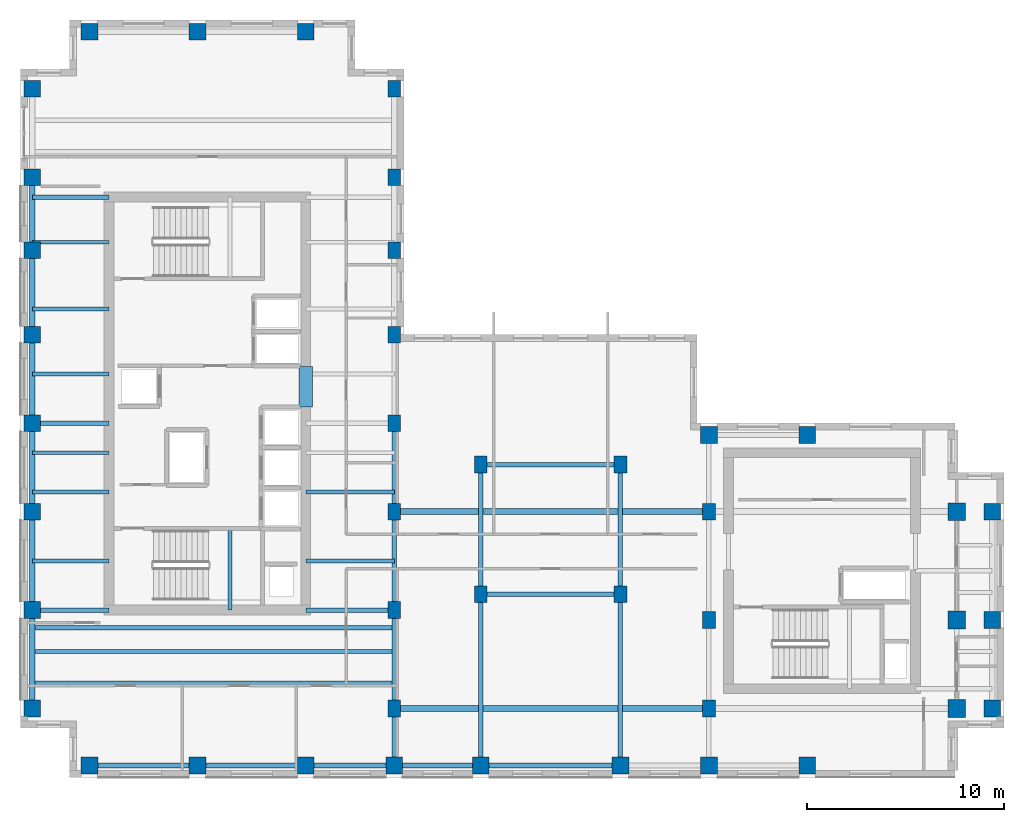
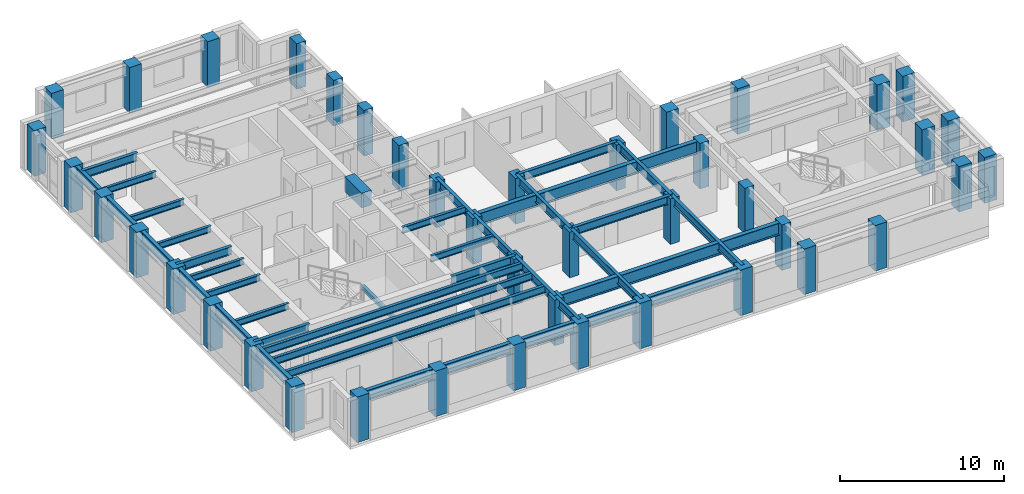
# One storey, part 1 of 12: 42 columns, 40 beams.
"""IFC4 building model written with IfcOpenShell, lengths in metres."""

from ifc_helpers import new_model, si_unit, direction, frame, origin, origin_2d, place, context, subcontext, project, spatial, rectangle, i_section, extrude, source, transform, mapped, material, material_profile, profile_set, type_object, element, save


model = new_model("IFC4")

# Units and contexts
model_context = context("Model", 3, precision=1e-05, world=origin(), true_north=direction((0.0, 1.0)))
body_context = subcontext(model_context, "Body", "Model", "MODEL_VIEW")
ifc_project = project(units=[si_unit("LENGTHUNIT", "METRE"), si_unit("AREAUNIT", "SQUARE_METRE"), si_unit("VOLUMEUNIT", "CUBIC_METRE"), si_unit("PLANEANGLEUNIT", "RADIAN"), si_unit("MASSUNIT", "GRAM", prefix="KILO")], contexts=[model_context])

# Site, building, storey
site_placement = place(None, origin())
site = spatial("IfcSite", under=ifc_project, at=site_placement, CompositionType="ELEMENT")
building_placement = place(site_placement, origin())
building = spatial("IfcBuilding", under=site, at=building_placement, Name="Kharzan Plaza Tower", CompositionType="ELEMENT")
storey_placement = place(building_placement, frame((0.0, 0.0, 255.60009765625)))
storey = spatial("IfcBuildingStorey", under=building, at=storey_placement, Name="L69", CompositionType="ELEMENT", Elevation=255.60009765625)

# Columns
ifc_material_1 = material(Name="Concrete C50/60", Category="concrete")
ifc_material_profile_1 = material_profile(ifc_material_1, rectangle(XDim=0.89990234375, YDim=0.89990234375, at=origin_2d()), Name="RC-IC900x900")
ifc_profile_set_1 = profile_set([ifc_material_profile_1], Name="Concrete C50/60")
column_type_1 = type_object("IfcColumnType", Name="COL-IC900", PredefinedType="COLUMN", material=ifc_profile_set_1)
shared_shape_1 = source(origin(), body_context, "Body", "SweptSolid", [
    extrude(rectangle(XDim=0.89990234375, YDim=0.89990234375, at=origin_2d()), origin(), (0.0, 0.0, 1.0), 3.39990234375),
])
for number, where, z_axis, x_axis, name in (
    (1, (47.60009765625, 13.5, 0.0), (0.0, 0.0, 1.0), (1.0, 0.0, 0.0), "L69 Structural Column TCBI-135"),
    (2, (47.60009765625, 3.5, 0.0), (0.0, 0.0, 1.0), (1.0, 0.0, 0.0), "L69 Structural Column TCBI-35"),
    (3, (47.60009765625, 8.0, 0.0), (0.0, 0.0, 1.0), (1.0, 0.0, 0.0), "L69 Structural Column TCBI-80"),
):
    element("IfcColumn", number, at=place(storey_placement, frame(where, z_axis=z_axis, x_axis=x_axis)), inside=storey, type_object=column_type_1, Name=name, PredefinedType="COLUMN", context=body_context, shape_type="MappedRepresentation", body=[
        mapped(shared_shape_1, transform((0.0, 0.0, 0.0), x_axis=(1.0, 0.0, 0.0), y_axis=(0.0, 1.0, 0.0), z_axis=(0.0, 0.0, 1.0))),
    ])
ifc_material_profile_2 = material_profile(ifc_material_1, rectangle(XDim=0.64990234375, YDim=0.85009765625, at=origin_2d()), Name="RC-SC850x650")
ifc_profile_set_2 = profile_set([ifc_material_profile_2], Name="Concrete C50/60")
column_type_2 = type_object("IfcColumnType", Name="COL-SC850", PredefinedType="COLUMN", material=ifc_profile_set_2)
shared_shape_2 = source(origin(), body_context, "Body", "SweptSolid", [
    extrude(rectangle(XDim=0.64990234375, YDim=0.85009765625, at=origin_2d()), origin(), (0.0, 0.0, 1.0), 3.39990234375),
])
for number, where, z_axis, x_axis, name in (
    (4, (19.0, 13.5, 0.0), (0.0, 0.0, 1.0), (1.0, 0.0, 0.0), "L69 Structural Column TCA-135"),
    (5, (19.0, 18.0, 0.0), (0.0, 0.0, 1.0), (1.0, 0.0, 0.0), "L69 Structural Column TCA-180"),
    (6, (19.0, 22.5, 0.0), (0.0, 0.0, 1.0), (1.0, 0.0, 0.0), "L69 Structural Column TCA-225"),
    (7, (19.0, 26.800048828125, 0.0), (0.0, 0.0, 1.0), (1.0, 0.0, 0.0), "L69 Structural Column TCA-268"),
    (8, (19.0, 30.5, 0.0), (0.0, 0.0, 1.0), (1.0, 0.0, 0.0), "L69 Structural Column TCA-305"),
    (9, (19.0, 3.5, 0.0), (0.0, 0.0, 1.0), (1.0, 0.0, 0.0), "L69 Structural Column TCA-35"),
    (10, (19.0, 35.0, 0.0), (0.0, 0.0, 1.0), (1.0, 0.0, 0.0), "L69 Structural Column TCA-350"),
    (11, (19.0, 8.5, 0.0), (0.0, 0.0, 1.0), (1.0, 0.0, 0.0), "L69 Structural Column TCA-85"),
    (12, (35.0, 13.5, 0.0), (0.0, 0.0, 1.0), (1.0, 0.0, 0.0), "L69 Structural Column TCBS-135"),
    (13, (35.0, 3.5, 0.0), (0.0, 0.0, 1.0), (1.0, 0.0, 0.0), "L69 Structural Column TCBS-35"),
    (14, (35.0, 8.0, 0.0), (0.0, 0.0, 1.0), (1.0, 0.0, 0.0), "L69 Structural Column TCBS-80"),
    (15, (23.39990234375, 15.89990234375, 0.0), (0.0, 0.0, 1.0), (1.0, 0.0, 0.0), "L69 Structural Column TCSP-234-159"),
    (16, (23.39990234375, 9.300048828125, 0.0), (0.0, 0.0, 1.0), (1.0, 0.0, 0.0), "L69 Structural Column TCSP-234-93"),
    (17, (30.5, 15.89990234375, 0.0), (0.0, 0.0, 1.0), (1.0, 0.0, 0.0), "L69 Structural Column TCSP-305-159"),
    (18, (30.5, 9.300048828125, 0.0), (0.0, 0.0, 1.0), (1.0, 0.0, 0.0), "L69 Structural Column TCSP-305-93"),
):
    element("IfcColumn", number, at=place(storey_placement, frame(where, z_axis=z_axis, x_axis=x_axis)), inside=storey, type_object=column_type_2, Name=name, PredefinedType="COLUMN", context=body_context, shape_type="MappedRepresentation", body=[
        mapped(shared_shape_2, transform((0.0, 0.0, 0.0), x_axis=(1.0, 0.0, 0.0), y_axis=(0.0, 1.0, 0.0), z_axis=(0.0, 0.0, 1.0))),
    ])
ifc_material_profile_3 = material_profile(ifc_material_1, rectangle(XDim=0.85009765625, YDim=0.85009765625, at=origin_2d()), Name="RC-TC850x850")
ifc_profile_set_3 = profile_set([ifc_material_profile_3], Name="Concrete C50/60")
column_type_3 = type_object("IfcColumnType", Name="COL-TC850", PredefinedType="COLUMN", material=ifc_profile_set_3)
shared_shape_3 = source(origin(), body_context, "Body", "SweptSolid", [
    extrude(rectangle(XDim=0.85009765625, YDim=0.85009765625, at=origin_2d()), origin(), (0.0, 0.0, 1.0), 3.39990234375),
])
for number, where, z_axis, x_axis, name in (
    (19, (35.0, 17.39990234375, 0.0), (0.0, 0.0, 1.0), (1.0, 0.0, 0.0), "L69 Structural Column TCBN-350-174"),
    (20, (40.0, 17.39990234375, 0.0), (0.0, 0.0, 1.0), (1.0, 0.0, 0.0), "L69 Structural Column TCBN-400-174"),
    (21, (49.39990234375, 13.5, 0.0), (0.0, 0.0, 1.0), (1.0, 0.0, 0.0), "L69 Structural Column TCE-494-135"),
    (22, (49.39990234375, 3.5, 0.0), (0.0, 0.0, 1.0), (1.0, 0.0, 0.0), "L69 Structural Column TCE-494-35"),
    (23, (49.39990234375, 8.0, 0.0), (0.0, 0.0, 1.0), (1.0, 0.0, 0.0), "L69 Structural Column TCE-494-80"),
    (24, (14.5, 37.89990234375, 0.0), (0.0, 0.0, 1.0), (1.0, 0.0, 0.0), "L69 Structural Column TCN-145-379"),
    (25, (3.5, 37.89990234375, 0.0), (0.0, 0.0, 1.0), (1.0, 0.0, 0.0), "L69 Structural Column TCN-35-379"),
    (26, (9.0, 37.89990234375, 0.0), (0.0, 0.0, 1.0), (1.0, 0.0, 0.0), "L69 Structural Column TCN-90-379"),
    (27, (14.5, 0.60009765625, 0.0), (0.0, 0.0, 1.0), (1.0, 0.0, 0.0), "L69 Structural Column TCS-145"),
    (28, (19.0, 0.60009765625, 0.0), (0.0, 0.0, 1.0), (1.0, 0.0, 0.0), "L69 Structural Column TCS-190"),
    (29, (23.39990234375, 0.60009765625, 0.0), (0.0, 0.0, 1.0), (1.0, 0.0, 0.0), "L69 Structural Column TCS-234"),
    (30, (30.5, 0.60009765625, 0.0), (0.0, 0.0, 1.0), (1.0, 0.0, 0.0), "L69 Structural Column TCS-305"),
    (31, (3.5, 0.60009765625, 0.0), (0.0, 0.0, 1.0), (1.0, 0.0, 0.0), "L69 Structural Column TCS-35"),
    (32, (35.0, 0.60009765625, 0.0), (0.0, 0.0, 1.0), (1.0, 0.0, 0.0), "L69 Structural Column TCS-350"),
    (33, (40.0, 0.60009765625, 0.0), (0.0, 0.0, 1.0), (1.0, 0.0, 0.0), "L69 Structural Column TCS-400"),
    (34, (9.0, 0.60009765625, 0.0), (0.0, 0.0, 1.0), (1.0, 0.0, 0.0), "L69 Structural Column TCS-90"),
    (35, (0.60009765625, 13.5, 0.0), (0.0, 0.0, 1.0), (1.0, 0.0, 0.0), "L69 Structural Column TCW-135"),
    (36, (0.60009765625, 18.0, 0.0), (0.0, 0.0, 1.0), (1.0, 0.0, 0.0), "L69 Structural Column TCW-180"),
    (37, (0.60009765625, 22.5, 0.0), (0.0, 0.0, 1.0), (1.0, 0.0, 0.0), "L69 Structural Column TCW-225"),
    (38, (0.60009765625, 26.800048828125, 0.0), (0.0, 0.0, 1.0), (1.0, 0.0, 0.0), "L69 Structural Column TCW-268"),
    (39, (0.60009765625, 30.5, 0.0), (0.0, 0.0, 1.0), (1.0, 0.0, 0.0), "L69 Structural Column TCW-305"),
    (40, (0.60009765625, 3.5, 0.0), (0.0, 0.0, 1.0), (1.0, 0.0, 0.0), "L69 Structural Column TCW-35"),
    (41, (0.60009765625, 35.0, 0.0), (0.0, 0.0, 1.0), (1.0, 0.0, 0.0), "L69 Structural Column TCW-350"),
    (42, (0.60009765625, 8.5, 0.0), (0.0, 0.0, 1.0), (1.0, 0.0, 0.0), "L69 Structural Column TCW-85"),
):
    element("IfcColumn", number, at=place(storey_placement, frame(where, z_axis=z_axis, x_axis=x_axis)), inside=storey, type_object=column_type_3, Name=name, PredefinedType="COLUMN", context=body_context, shape_type="MappedRepresentation", body=[
        mapped(shared_shape_3, transform((0.0, 0.0, 0.0), x_axis=(1.0, 0.0, 0.0), y_axis=(0.0, 1.0, 0.0), z_axis=(0.0, 0.0, 1.0))),
    ])

# Beams
ifc_material_2 = material(Name="Concrete C60/75", Category="concrete")
ifc_material_profile_4 = material_profile(ifc_material_2, rectangle(XDim=0.699951171875, YDim=1.10009765625, at=origin_2d()), Name="RC-CB1100x700")
ifc_profile_set_4 = profile_set([ifc_material_profile_4], Name="Concrete C60/75")
beam_type_1 = type_object("IfcBeamType", Name="BM-RCCB1100", PredefinedType="LINTEL", material=ifc_profile_set_4)
shared_shape_4 = source(origin(), body_context, "Body", "SweptSolid", [
    extrude(rectangle(XDim=0.699951171875, YDim=1.10009765625, at=origin_2d()), origin(), (0.0, 0.0, 1.0), 2.059814453125),
])
beam_1_placement = place(storey_placement, frame((14.5, 18.820068359375, 2.849853515625), z_axis=(0.0, 1.0, 0.0), x_axis=(-1.0, 0.0, 0.0)))
element("IfcBeam", 43, at=beam_1_placement, inside=storey, type_object=beam_type_1, Name="L69 CORE-A RC coupling beam CB1", PredefinedType="LINTEL", context=body_context, shape_type="MappedRepresentation", body=[
    mapped(shared_shape_4, transform((0.0, 0.0, 0.0), x_axis=(1.0, 0.0, 0.0), y_axis=(0.0, 1.0, 0.0), z_axis=(0.0, 0.0, 1.0))),
])
ifc_material_3 = material(Name="Steel S355", Category="steel")
ifc_material_profile_5 = material_profile(ifc_material_3, i_section(OverallWidth=0.205078125, OverallDepth=0.35400390625, WebThickness=0.009521484375, FlangeThickness=0.016845703125, at=origin_2d()), Name="W360x79")
ifc_profile_set_5 = profile_set([ifc_material_profile_5], Name="Steel S355")
beam_type_2 = type_object("IfcBeamType", Name="BM-LNT360", PredefinedType="LINTEL", material=ifc_profile_set_5)
shared_shape_5 = source(origin(), body_context, "Body", "SweptSolid", [
    extrude(i_section(OverallWidth=0.205078125, OverallDepth=0.35400390625, WebThickness=0.009521484375, FlangeThickness=0.016845703125, at=origin_2d()), origin(), (0.0, 0.0, 1.0), 4.155029296875),
])
beam_2_placement = place(storey_placement, frame((10.64990234375, 8.5, 1.4228515625), z_axis=(0.0, 1.0, 0.0), x_axis=(-1.0, 0.0, 0.0)))
element("IfcBeam", 44, at=beam_2_placement, inside=storey, type_object=beam_type_2, Name="L69 Stair ST-1 Half-Landing Beam", PredefinedType="LINTEL", context=body_context, shape_type="MappedRepresentation", body=[
    mapped(shared_shape_5, transform((0.0, 0.0, 0.0), x_axis=(1.0, 0.0, 0.0), y_axis=(0.0, 1.0, 0.0), z_axis=(0.0, 0.0, 1.0))),
])
ifc_material_profile_6 = material_profile(ifc_material_3, i_section(OverallWidth=0.304931640625, OverallDepth=0.9189453125, WebThickness=0.017333984375, FlangeThickness=0.02783203125, at=origin_2d()), Name="W920x253")
ifc_profile_set_6 = profile_set([ifc_material_profile_6], Name="Steel S355")
beam_type_3 = type_object("IfcBeamType", Name="BM-FG920B", PredefinedType="BEAM", material=ifc_profile_set_6)
shared_shape_6 = source(origin(), body_context, "Body", "SweptSolid", [
    extrude(i_section(OverallWidth=0.304931640625, OverallDepth=0.9189453125, WebThickness=0.017333984375, FlangeThickness=0.02783203125, at=origin_2d()), origin(), (0.0, 0.0, 1.0), 16.0),
])
for number, where, z_axis, x_axis, name in (
    (45, (19.0, 3.5, 2.9404296875), (1.0, 0.0, 0.0), (0.0, 1.0, 0.0), "L69 Primary Floor Girder"),
    (46, (19.0, 13.5, 2.9404296875), (1.0, 0.0, 0.0), (0.0, 1.0, 0.0), "L69 Primary Floor Girder"),
):
    element("IfcBeam", number, at=place(storey_placement, frame(where, z_axis=z_axis, x_axis=x_axis)), inside=storey, type_object=beam_type_3, Name=name, PredefinedType="BEAM", context=body_context, shape_type="MappedRepresentation", body=[
        mapped(shared_shape_6, transform((0.0, 0.0, 0.0), x_axis=(1.0, 0.0, 0.0), y_axis=(0.0, 1.0, 0.0), z_axis=(0.0, 0.0, 1.0))),
    ])
ifc_material_profile_7 = material_profile(ifc_material_3, i_section(OverallWidth=0.2099609375, OverallDepth=0.537109375, WebThickness=0.010986328125, FlangeThickness=0.017333984375, at=origin_2d()), Name="W530x101")
ifc_profile_set_7 = profile_set([ifc_material_profile_7], Name="Steel S355")
beam_type_4 = type_object("IfcBeamType", Name="BM-JST530B", PredefinedType="JOIST", material=ifc_profile_set_7)
shared_shape_7 = source(origin(), body_context, "Body", "SweptSolid", [
    extrude(i_section(OverallWidth=0.2099609375, OverallDepth=0.537109375, WebThickness=0.010986328125, FlangeThickness=0.017333984375, at=origin_2d()), origin(), (0.0, 0.0, 1.0), 18.39990234375),
])
for number, where, z_axis, x_axis, name in (
    (47, (0.60009765625, 4.800048828125, 3.13134765625), (1.0, 0.0, 0.0), (0.0, 1.0, 0.0), "L69 Wing A Composite Joist 01"),
    (48, (0.60009765625, 6.39990234375, 3.13134765625), (1.0, 0.0, 0.0), (0.0, 1.0, 0.0), "L69 Wing A Composite Joist 02"),
    (49, (0.60009765625, 7.60009765625, 3.13134765625), (1.0, 0.0, 0.0), (0.0, 1.0, 0.0), "L69 Wing A Composite Joist 03"),
):
    element("IfcBeam", number, at=place(storey_placement, frame(where, z_axis=z_axis, x_axis=x_axis)), inside=storey, type_object=beam_type_4, Name=name, PredefinedType="JOIST", context=body_context, shape_type="MappedRepresentation", body=[
        mapped(shared_shape_7, transform((0.0, 0.0, 0.0), x_axis=(1.0, 0.0, 0.0), y_axis=(0.0, 1.0, 0.0), z_axis=(0.0, 0.0, 1.0))),
    ])
ifc_material_profile_8 = material_profile(ifc_material_3, i_section(OverallWidth=0.194091796875, OverallDepth=0.468994140625, WebThickness=0.011474609375, FlangeThickness=0.0205078125, at=origin_2d()), Name="W460x106")
ifc_profile_set_8 = profile_set([ifc_material_profile_8], Name="Steel S355")
beam_type_5 = type_object("IfcBeamType", Name="BM-JST460", PredefinedType="JOIST", material=ifc_profile_set_8)
shared_shape_8 = source(origin(), body_context, "Body", "SweptSolid", [
    extrude(i_section(OverallWidth=0.194091796875, OverallDepth=0.468994140625, WebThickness=0.011474609375, FlangeThickness=0.0205078125, at=origin_2d()), origin(), (0.0, 0.0, 1.0), 4.5),
])
for number, where, z_axis, x_axis, name in (
    (50, (14.5, 11.0, 3.165283203125), (1.0, 0.0, 0.0), (0.0, 1.0, 0.0), "L69 Wing A East Infill Joist 1"),
    (51, (14.5, 14.5, 3.165283203125), (1.0, 0.0, 0.0), (0.0, 1.0, 0.0), "L69 Wing A East Infill Joist 2"),
):
    element("IfcBeam", number, at=place(storey_placement, frame(where, z_axis=z_axis, x_axis=x_axis)), inside=storey, type_object=beam_type_5, Name=name, PredefinedType="JOIST", context=body_context, shape_type="MappedRepresentation", body=[
        mapped(shared_shape_8, transform((0.0, 0.0, 0.0), x_axis=(1.0, 0.0, 0.0), y_axis=(0.0, 1.0, 0.0), z_axis=(0.0, 0.0, 1.0))),
    ])
shared_shape_9 = source(origin(), body_context, "Body", "SweptSolid", [
    extrude(i_section(OverallWidth=0.194091796875, OverallDepth=0.468994140625, WebThickness=0.011474609375, FlangeThickness=0.0205078125, at=origin_2d()), origin(), (0.0, 0.0, 1.0), 3.89990234375),
])
for number, where, z_axis, x_axis, name in (
    (52, (0.60009765625, 11.0, 3.165283203125), (1.0, 0.0, 0.0), (0.0, 1.0, 0.0), "L69 Wing A West Infill Joist 1"),
    (53, (0.60009765625, 14.5, 3.165283203125), (1.0, 0.0, 0.0), (0.0, 1.0, 0.0), "L69 Wing A West Infill Joist 2"),
    (54, (0.60009765625, 16.5, 3.165283203125), (1.0, 0.0, 0.0), (0.0, 1.0, 0.0), "L69 Wing A West Infill Joist 3"),
    (55, (0.60009765625, 20.5, 3.165283203125), (1.0, 0.0, 0.0), (0.0, 1.0, 0.0), "L69 Wing A West Infill Joist 4"),
    (56, (0.60009765625, 23.800048828125, 3.165283203125), (1.0, 0.0, 0.0), (0.0, 1.0, 0.0), "L69 Wing A West Infill Joist 5"),
    (57, (0.60009765625, 27.199951171875, 3.165283203125), (1.0, 0.0, 0.0), (0.0, 1.0, 0.0), "L69 Wing A West Infill Joist 6"),
):
    element("IfcBeam", number, at=place(storey_placement, frame(where, z_axis=z_axis, x_axis=x_axis)), inside=storey, type_object=beam_type_5, Name=name, PredefinedType="JOIST", context=body_context, shape_type="MappedRepresentation", body=[
        mapped(shared_shape_9, transform((0.0, 0.0, 0.0), x_axis=(1.0, 0.0, 0.0), y_axis=(0.0, 1.0, 0.0), z_axis=(0.0, 0.0, 1.0))),
    ])
ifc_material_profile_9 = material_profile(ifc_material_3, i_section(OverallWidth=0.22900390625, OverallDepth=0.612060546875, WebThickness=0.011962890625, FlangeThickness=0.01953125, at=origin_2d()), Name="W610x125")
ifc_profile_set_9 = profile_set([ifc_material_profile_9], Name="Steel S355")
beam_type_6 = type_object("IfcBeamType", Name="BM-FG610B", PredefinedType="BEAM", material=ifc_profile_set_9)
shared_shape_10 = source(origin(), body_context, "Body", "SweptSolid", [
    extrude(i_section(OverallWidth=0.22900390625, OverallDepth=0.612060546875, WebThickness=0.011962890625, FlangeThickness=0.01953125, at=origin_2d()), origin(), (0.0, 0.0, 1.0), 4.5),
])
for number, where, z_axis, x_axis, name in (
    (58, (14.5, 8.5, 3.093994140625), (1.0, 0.0, 0.0), (0.0, 1.0, 0.0), "L69 Core-A East Floor Girder 1"),
    (59, (19.0, 13.5, 3.093994140625), (0.0, 1.0, 0.0), (-1.0, 0.0, 0.0), "L69 Interior Frame Girder"),
):
    element("IfcBeam", number, at=place(storey_placement, frame(where, z_axis=z_axis, x_axis=x_axis)), inside=storey, type_object=beam_type_6, Name=name, PredefinedType="BEAM", context=body_context, shape_type="MappedRepresentation", body=[
        mapped(shared_shape_10, transform((0.0, 0.0, 0.0), x_axis=(1.0, 0.0, 0.0), y_axis=(0.0, 1.0, 0.0), z_axis=(0.0, 0.0, 1.0))),
    ])
shared_shape_11 = source(origin(), body_context, "Body", "SweptSolid", [
    extrude(i_section(OverallWidth=0.22900390625, OverallDepth=0.612060546875, WebThickness=0.011962890625, FlangeThickness=0.01953125, at=origin_2d()), origin(), (0.0, 0.0, 1.0), 3.89990234375),
])
for number, where, z_axis, x_axis, name in (
    (60, (0.60009765625, 8.5, 3.093994140625), (1.0, 0.0, 0.0), (0.0, 1.0, 0.0), "L69 Core-A West Floor Girder 1"),
    (61, (0.60009765625, 18.0, 3.093994140625), (1.0, 0.0, 0.0), (0.0, 1.0, 0.0), "L69 Core-A West Floor Girder 2"),
    (62, (0.60009765625, 29.5, 3.093994140625), (1.0, 0.0, 0.0), (0.0, 1.0, 0.0), "L69 Core-A West Floor Girder 3"),
):
    element("IfcBeam", number, at=place(storey_placement, frame(where, z_axis=z_axis, x_axis=x_axis)), inside=storey, type_object=beam_type_6, Name=name, PredefinedType="BEAM", context=body_context, shape_type="MappedRepresentation", body=[
        mapped(shared_shape_11, transform((0.0, 0.0, 0.0), x_axis=(1.0, 0.0, 0.0), y_axis=(0.0, 1.0, 0.0), z_axis=(0.0, 0.0, 1.0))),
    ])
shared_shape_12 = source(origin(), body_context, "Body", "SweptSolid", [
    extrude(i_section(OverallWidth=0.22900390625, OverallDepth=0.612060546875, WebThickness=0.011962890625, FlangeThickness=0.01953125, at=origin_2d()), origin(), (0.0, 0.0, 1.0), 5.0),
])
for number, where, z_axis, x_axis, name in (
    (63, (19.0, 3.5, 3.093994140625), (0.0, 1.0, 0.0), (-1.0, 0.0, 0.0), "L69 Interior Frame Girder"),
    (64, (19.0, 8.5, 3.093994140625), (0.0, 1.0, 0.0), (-1.0, 0.0, 0.0), "L69 Interior Frame Girder"),
):
    element("IfcBeam", number, at=place(storey_placement, frame(where, z_axis=z_axis, x_axis=x_axis)), inside=storey, type_object=beam_type_6, Name=name, PredefinedType="BEAM", context=body_context, shape_type="MappedRepresentation", body=[
        mapped(shared_shape_12, transform((0.0, 0.0, 0.0), x_axis=(1.0, 0.0, 0.0), y_axis=(0.0, 1.0, 0.0), z_axis=(0.0, 0.0, 1.0))),
    ])
shared_shape_13 = source(origin(), body_context, "Body", "SweptSolid", [
    extrude(i_section(OverallWidth=0.22900390625, OverallDepth=0.612060546875, WebThickness=0.011962890625, FlangeThickness=0.01953125, at=origin_2d()), origin(), (0.0, 0.0, 1.0), 6.599853515625),
])
for number, where, z_axis, x_axis, name in (
    (65, (23.39990234375, 9.300048828125, 3.093994140625), (0.0, 1.0, 0.0), (-1.0, 0.0, 0.0), "L69 Interior Frame Girder"),
    (66, (30.5, 9.300048828125, 3.093994140625), (0.0, 1.0, 0.0), (-1.0, 0.0, 0.0), "L69 Interior Frame Girder"),
):
    element("IfcBeam", number, at=place(storey_placement, frame(where, z_axis=z_axis, x_axis=x_axis)), inside=storey, type_object=beam_type_6, Name=name, PredefinedType="BEAM", context=body_context, shape_type="MappedRepresentation", body=[
        mapped(shared_shape_13, transform((0.0, 0.0, 0.0), x_axis=(1.0, 0.0, 0.0), y_axis=(0.0, 1.0, 0.0), z_axis=(0.0, 0.0, 1.0))),
    ])
shared_shape_14 = source(origin(), body_context, "Body", "SweptSolid", [
    extrude(i_section(OverallWidth=0.22900390625, OverallDepth=0.612060546875, WebThickness=0.011962890625, FlangeThickness=0.01953125, at=origin_2d()), origin(), (0.0, 0.0, 1.0), 2.89990234375),
])
beam_3_placement = place(storey_placement, frame((19.0, 0.60009765625, 3.093994140625), z_axis=(0.0, 1.0, 0.0), x_axis=(-1.0, 0.0, 0.0)))
element("IfcBeam", 67, at=beam_3_placement, inside=storey, type_object=beam_type_6, Name="L69 Interior Frame Girder", PredefinedType="BEAM", context=body_context, shape_type="MappedRepresentation", body=[
    mapped(shared_shape_14, transform((0.0, 0.0, 0.0), x_axis=(1.0, 0.0, 0.0), y_axis=(0.0, 1.0, 0.0), z_axis=(0.0, 0.0, 1.0))),
])
shared_shape_15 = source(origin(), body_context, "Body", "SweptSolid", [
    extrude(i_section(OverallWidth=0.22900390625, OverallDepth=0.612060546875, WebThickness=0.011962890625, FlangeThickness=0.01953125, at=origin_2d()), origin(), (0.0, 0.0, 1.0), 7.10009765625),
])
for number, where, z_axis, x_axis, name in (
    (68, (23.39990234375, 9.300048828125, 3.093994140625), (1.0, 0.0, 0.0), (0.0, 1.0, 0.0), "L69 Primary Floor Girder"),
    (69, (23.39990234375, 15.89990234375, 3.093994140625), (1.0, 0.0, 0.0), (0.0, 1.0, 0.0), "L69 Primary Floor Girder"),
):
    element("IfcBeam", number, at=place(storey_placement, frame(where, z_axis=z_axis, x_axis=x_axis)), inside=storey, type_object=beam_type_6, Name=name, PredefinedType="BEAM", context=body_context, shape_type="MappedRepresentation", body=[
        mapped(shared_shape_15, transform((0.0, 0.0, 0.0), x_axis=(1.0, 0.0, 0.0), y_axis=(0.0, 1.0, 0.0), z_axis=(0.0, 0.0, 1.0))),
    ])
ifc_material_profile_10 = material_profile(ifc_material_3, i_section(OverallWidth=0.26708984375, OverallDepth=0.76611328125, WebThickness=0.014892578125, FlangeThickness=0.023681640625, at=origin_2d()), Name="W760x185")
ifc_profile_set_10 = profile_set([ifc_material_profile_10], Name="Steel S355")
beam_type_7 = type_object("IfcBeamType", Name="BM-SP760B", PredefinedType="SPANDREL", material=ifc_profile_set_10)
shared_shape_16 = source(origin(), body_context, "Body", "SweptSolid", [
    extrude(i_section(OverallWidth=0.26708984375, OverallDepth=0.76611328125, WebThickness=0.014892578125, FlangeThickness=0.023681640625, at=origin_2d()), origin(), (0.0, 0.0, 1.0), 5.0),
])
for number, where, z_axis, x_axis, name in (
    (70, (0.60009765625, 3.5, 3.016845703125), (0.0, 1.0, 0.0), (-1.0, 0.0, 0.0), "L69 Perimeter Tube Spandrel"),
    (71, (0.60009765625, 8.5, 3.016845703125), (0.0, 1.0, 0.0), (-1.0, 0.0, 0.0), "L69 Perimeter Tube Spandrel"),
):
    element("IfcBeam", number, at=place(storey_placement, frame(where, z_axis=z_axis, x_axis=x_axis)), inside=storey, type_object=beam_type_7, Name=name, PredefinedType="SPANDREL", context=body_context, shape_type="MappedRepresentation", body=[
        mapped(shared_shape_16, transform((0.0, 0.0, 0.0), x_axis=(1.0, 0.0, 0.0), y_axis=(0.0, 1.0, 0.0), z_axis=(0.0, 0.0, 1.0))),
    ])
shared_shape_17 = source(origin(), body_context, "Body", "SweptSolid", [
    extrude(i_section(OverallWidth=0.26708984375, OverallDepth=0.76611328125, WebThickness=0.014892578125, FlangeThickness=0.023681640625, at=origin_2d()), origin(), (0.0, 0.0, 1.0), 4.5),
])
for number, where, z_axis, x_axis, name in (
    (72, (0.60009765625, 13.5, 3.016845703125), (0.0, 1.0, 0.0), (-1.0, 0.0, 0.0), "L69 Perimeter Tube Spandrel"),
    (73, (0.60009765625, 18.0, 3.016845703125), (0.0, 1.0, 0.0), (-1.0, 0.0, 0.0), "L69 Perimeter Tube Spandrel"),
    (74, (14.5, 0.60009765625, 3.016845703125), (1.0, 0.0, 0.0), (0.0, 1.0, 0.0), "L69 Perimeter Tube Spandrel"),
):
    element("IfcBeam", number, at=place(storey_placement, frame(where, z_axis=z_axis, x_axis=x_axis)), inside=storey, type_object=beam_type_7, Name=name, PredefinedType="SPANDREL", context=body_context, shape_type="MappedRepresentation", body=[
        mapped(shared_shape_17, transform((0.0, 0.0, 0.0), x_axis=(1.0, 0.0, 0.0), y_axis=(0.0, 1.0, 0.0), z_axis=(0.0, 0.0, 1.0))),
    ])
shared_shape_18 = source(origin(), body_context, "Body", "SweptSolid", [
    extrude(i_section(OverallWidth=0.26708984375, OverallDepth=0.76611328125, WebThickness=0.014892578125, FlangeThickness=0.023681640625, at=origin_2d()), origin(), (0.0, 0.0, 1.0), 4.300048828125),
])
beam_4_placement = place(storey_placement, frame((0.60009765625, 22.5, 3.016845703125), z_axis=(0.0, 1.0, 0.0), x_axis=(-1.0, 0.0, 0.0)))
element("IfcBeam", 75, at=beam_4_placement, inside=storey, type_object=beam_type_7, Name="L69 Perimeter Tube Spandrel", PredefinedType="SPANDREL", context=body_context, shape_type="MappedRepresentation", body=[
    mapped(shared_shape_18, transform((0.0, 0.0, 0.0), x_axis=(1.0, 0.0, 0.0), y_axis=(0.0, 1.0, 0.0), z_axis=(0.0, 0.0, 1.0))),
])
shared_shape_19 = source(origin(), body_context, "Body", "SweptSolid", [
    extrude(i_section(OverallWidth=0.26708984375, OverallDepth=0.76611328125, WebThickness=0.014892578125, FlangeThickness=0.023681640625, at=origin_2d()), origin(), (0.0, 0.0, 1.0), 3.699951171875),
])
beam_5_placement = place(storey_placement, frame((0.60009765625, 26.800048828125, 3.016845703125), z_axis=(0.0, 1.0, 0.0), x_axis=(-1.0, 0.0, 0.0)))
element("IfcBeam", 76, at=beam_5_placement, inside=storey, type_object=beam_type_7, Name="L69 Perimeter Tube Spandrel", PredefinedType="SPANDREL", context=body_context, shape_type="MappedRepresentation", body=[
    mapped(shared_shape_19, transform((0.0, 0.0, 0.0), x_axis=(1.0, 0.0, 0.0), y_axis=(0.0, 1.0, 0.0), z_axis=(0.0, 0.0, 1.0))),
])
shared_shape_20 = source(origin(), body_context, "Body", "SweptSolid", [
    extrude(i_section(OverallWidth=0.26708984375, OverallDepth=0.76611328125, WebThickness=0.014892578125, FlangeThickness=0.023681640625, at=origin_2d()), origin(), (0.0, 0.0, 1.0), 5.5),
])
for number, where, z_axis, x_axis, name in (
    (77, (3.5, 0.60009765625, 3.016845703125), (1.0, 0.0, 0.0), (0.0, 1.0, 0.0), "L69 Perimeter Tube Spandrel"),
    (78, (9.0, 0.60009765625, 3.016845703125), (1.0, 0.0, 0.0), (0.0, 1.0, 0.0), "L69 Perimeter Tube Spandrel"),
):
    element("IfcBeam", number, at=place(storey_placement, frame(where, z_axis=z_axis, x_axis=x_axis)), inside=storey, type_object=beam_type_7, Name=name, PredefinedType="SPANDREL", context=body_context, shape_type="MappedRepresentation", body=[
        mapped(shared_shape_20, transform((0.0, 0.0, 0.0), x_axis=(1.0, 0.0, 0.0), y_axis=(0.0, 1.0, 0.0), z_axis=(0.0, 0.0, 1.0))),
    ])
shared_shape_21 = source(origin(), body_context, "Body", "SweptSolid", [
    extrude(i_section(OverallWidth=0.26708984375, OverallDepth=0.76611328125, WebThickness=0.014892578125, FlangeThickness=0.023681640625, at=origin_2d()), origin(), (0.0, 0.0, 1.0), 7.10009765625),
])
beam_6_placement = place(storey_placement, frame((23.39990234375, 0.60009765625, 3.016845703125), z_axis=(1.0, 0.0, 0.0), x_axis=(0.0, 1.0, 0.0)))
element("IfcBeam", 79, at=beam_6_placement, inside=storey, type_object=beam_type_7, Name="L69 Perimeter Tube Spandrel", PredefinedType="SPANDREL", context=body_context, shape_type="MappedRepresentation", body=[
    mapped(shared_shape_21, transform((0.0, 0.0, 0.0), x_axis=(1.0, 0.0, 0.0), y_axis=(0.0, 1.0, 0.0), z_axis=(0.0, 0.0, 1.0))),
])
shared_shape_22 = source(origin(), body_context, "Body", "SweptSolid", [
    extrude(i_section(OverallWidth=0.22900390625, OverallDepth=0.612060546875, WebThickness=0.011962890625, FlangeThickness=0.01953125, at=origin_2d()), origin(), (0.0, 0.0, 1.0), 8.699951171875),
])
for number, where, z_axis, x_axis, name in (
    (80, (23.39990234375, 0.60009765625, 3.093994140625), (0.0, 1.0, 0.0), (-1.0, 0.0, 0.0), "L69 Interior Frame Girder"),
    (81, (30.5, 0.60009765625, 3.093994140625), (0.0, 1.0, 0.0), (-1.0, 0.0, 0.0), "L69 Interior Frame Girder"),
):
    element("IfcBeam", number, at=place(storey_placement, frame(where, z_axis=z_axis, x_axis=x_axis)), inside=storey, type_object=beam_type_6, Name=name, PredefinedType="BEAM", context=body_context, shape_type="MappedRepresentation", body=[
        mapped(shared_shape_22, transform((0.0, 0.0, 0.0), x_axis=(1.0, 0.0, 0.0), y_axis=(0.0, 1.0, 0.0), z_axis=(0.0, 0.0, 1.0))),
    ])
shared_shape_23 = source(origin(), body_context, "Body", "SweptSolid", [
    extrude(i_section(OverallWidth=0.26708984375, OverallDepth=0.76611328125, WebThickness=0.014892578125, FlangeThickness=0.023681640625, at=origin_2d()), origin(), (0.0, 0.0, 1.0), 4.39990234375),
])
beam_7_placement = place(storey_placement, frame((19.0, 0.60009765625, 3.016845703125), z_axis=(1.0, 0.0, 0.0), x_axis=(0.0, 1.0, 0.0)))
element("IfcBeam", 82, at=beam_7_placement, inside=storey, type_object=beam_type_7, Name="L69 Perimeter Tube Spandrel", PredefinedType="SPANDREL", context=body_context, shape_type="MappedRepresentation", body=[
    mapped(shared_shape_23, transform((0.0, 0.0, 0.0), x_axis=(1.0, 0.0, 0.0), y_axis=(0.0, 1.0, 0.0), z_axis=(0.0, 0.0, 1.0))),
])

save(model, "model.ifc")
